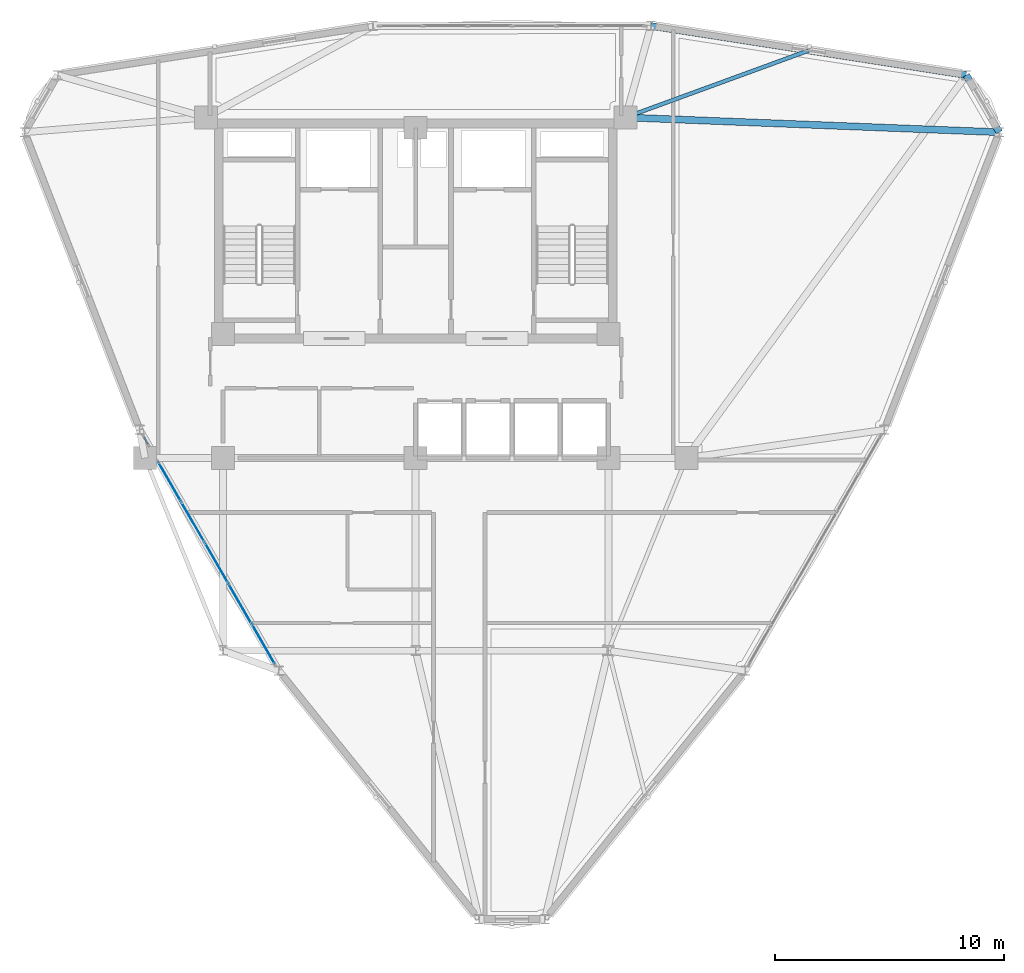
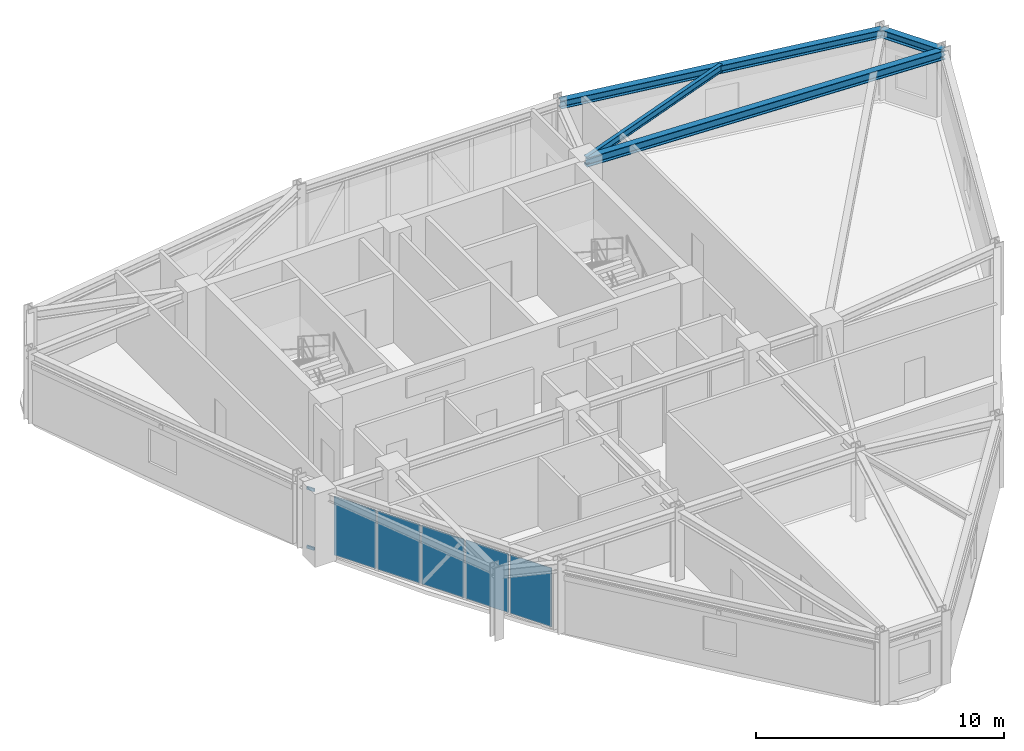
# One storey, part 10 of 16: 5 plates, 4 beams, 2 members, 2 elements without a shape of their own.
"""IFC4 building model written with IfcOpenShell, lengths in metres."""

from ifc_helpers import new_model, si_unit, derived_unit, direction, frame, origin, origin_2d, place, context, subcontext, project, spatial, rectangle, hollow_rectangle, i_section, extrude, source, transform, mapped, material, layer, layer_set, material_profile, profile_set, type_object, element, aggregate, save


model = new_model("IFC4")

# Units and contexts
model_context = context("Model", 3, precision=1e-05, world=origin(), true_north=direction((0.0, 1.0)))
body_context = subcontext(model_context, "Body", "Model", "MODEL_VIEW")
ifc_project = project(units=[si_unit("LENGTHUNIT", "METRE"), si_unit("AREAUNIT", "SQUARE_METRE"), si_unit("VOLUMEUNIT", "CUBIC_METRE"), si_unit("PLANEANGLEUNIT", "RADIAN"), si_unit("MASSUNIT", "GRAM", prefix="KILO"), derived_unit("THERMALTRANSMITTANCEUNIT", [(si_unit("POWERUNIT", "WATT"), 1), (si_unit("LENGTHUNIT", "METRE"), -2), (si_unit("THERMODYNAMICTEMPERATUREUNIT", "KELVIN"), -1)])], contexts=[model_context])

# Site, building, storey
site_placement = place(None, origin())
site = spatial("IfcSite", under=ifc_project, at=site_placement, CompositionType="ELEMENT")
building_placement = place(site_placement, origin())
building = spatial("IfcBuilding", under=site, at=building_placement, Name="Korsvarv Bourse and Concert Hall", CompositionType="ELEMENT")
storey_placement = place(building_placement, frame((0.0, 0.0, 227.39990234375)))
storey = spatial("IfcBuildingStorey", under=building, at=storey_placement, Name="L59", CompositionType="ELEMENT", Elevation=227.39990234375)

# Beams
ifc_material_1 = material(Name="Steel S355", Category="steel")
ifc_material_profile_1 = material_profile(ifc_material_1, i_section(OverallWidth=0.300048828125, OverallDepth=0.389892578125, WebThickness=0.010986328125, FlangeThickness=0.01904296875, FilletRadius=0.02099609375, at=origin_2d()), Name="HEA 400")
ifc_profile_set_1 = profile_set([ifc_material_profile_1], Name="Steel S355")
beam_type_1 = type_object("IfcBeamType", Name="BM-HEA400", PredefinedType="BEAM", material=ifc_profile_set_1)
shared_shape_1 = source(origin(), body_context, "Body", "SweptSolid", [
    extrude(i_section(OverallWidth=0.300048828125, OverallDepth=0.389892578125, WebThickness=0.010986328125, FlangeThickness=0.01904296875, FilletRadius=0.02099609375, at=origin_2d()), origin(), (0.0, 0.0, 1.0), 2.876708984375),
])
beam_1_placement = place(storey_placement, frame((61.447265625, 46.606201171875, 3.215087890625), z_axis=(-0.499945292477, 0.866056986884, 0.0), x_axis=(-0.866056986884, -0.499945292477, 0.0)))
element("IfcBeam", 1, at=beam_1_placement, inside=storey, type_object=beam_type_1, Name="L59 beam B-11", PredefinedType="BEAM", context=body_context, shape_type="MappedRepresentation", body=[
    mapped(shared_shape_1, transform((0.0, 0.0, 0.0), scale=1.0)),
])
shared_shape_2 = source(origin(), body_context, "Body", "SweptSolid", [
    extrude(i_section(OverallWidth=0.300048828125, OverallDepth=0.389892578125, WebThickness=0.010986328125, FlangeThickness=0.01904296875, FilletRadius=0.02099609375, at=origin_2d()), origin(), (0.0, 0.0, 1.0), 13.913330078125),
])
beam_2_placement = place(storey_placement, frame((60.009033203125, 49.09765625, 3.215087890625), z_axis=(-0.988060911996, 0.154063734169, 0.0), x_axis=(-0.154063734169, -0.988060911996, 0.0)))
element("IfcBeam", 2, at=beam_2_placement, inside=storey, type_object=beam_type_1, Name="L59 beam B-11", PredefinedType="BEAM", context=body_context, shape_type="MappedRepresentation", body=[
    mapped(shared_shape_2, transform((0.0, 0.0, 0.0), scale=1.0)),
])
ifc_material_profile_2 = material_profile(ifc_material_1, i_section(OverallWidth=0.300048828125, OverallDepth=0.449951171875, WebThickness=0.013916015625, FlangeThickness=0.02587890625, FilletRadius=0.02099609375, at=origin_2d()), Name="HEB 450")
ifc_profile_set_2 = profile_set([ifc_material_profile_2], Name="Steel S355")
beam_type_2 = type_object("IfcBeamType", Name="BM-HEB450", PredefinedType="SPANDREL", material=ifc_profile_set_2)
shared_shape_3 = source(origin(), body_context, "Body", "SweptSolid", [
    extrude(i_section(OverallWidth=0.300048828125, OverallDepth=0.449951171875, WebThickness=0.013916015625, FlangeThickness=0.02587890625, FilletRadius=0.02099609375, at=origin_2d()), origin(), (0.0, 0.0, 1.0), 16.31005859375),
])
beam_3_placement = place(storey_placement, frame((61.447265625, 46.606201171875, 3.18505859375), z_axis=(-0.999220658598, 0.039472464223, 0.0), x_axis=(-0.039472464223, -0.999220658598, 0.0)))
element("IfcBeam", 3, at=beam_3_placement, inside=storey, type_object=beam_type_2, Name="L59 beam B-08", PredefinedType="SPANDREL", context=body_context, shape_type="MappedRepresentation", body=[
    mapped(shared_shape_3, transform((0.0, 0.0, 0.0), scale=1.0)),
])
ifc_material_profile_3 = material_profile(ifc_material_1, i_section(OverallWidth=0.169921875, OverallDepth=0.360107421875, WebThickness=0.008056640625, FlangeThickness=0.0126953125, FilletRadius=0.01806640625, at=origin_2d()), Name="IPE 360")
ifc_profile_set_3 = profile_set([ifc_material_profile_3], Name="Steel S355")
beam_type_3 = type_object("IfcBeamType", Name="BM-IPE360", PredefinedType="JOIST", material=ifc_profile_set_3)
shared_shape_4 = source(origin(), body_context, "Body", "SweptSolid", [
    extrude(i_section(OverallWidth=0.169921875, OverallDepth=0.360107421875, WebThickness=0.008056640625, FlangeThickness=0.0126953125, FilletRadius=0.01806640625, at=origin_2d()), origin(), (0.0, 0.0, 1.0), 8.50244140625),
])
beam_4_placement = place(storey_placement, frame((53.135498046875, 50.16943359375, 3.22998046875), z_axis=(-0.939203499383, -0.343361015183, 0.0), x_axis=(0.343361015183, -0.939203499383, 0.0)))
element("IfcBeam", 4, at=beam_4_placement, inside=storey, type_object=beam_type_3, Name="L59 beam J-06", PredefinedType="JOIST", context=body_context, shape_type="MappedRepresentation", body=[
    mapped(shared_shape_4, transform((0.0, 0.0, 0.0), scale=1.0)),
])

# Curtain wall, members
ifc_material_2 = material(Name="Anodised aluminium and triple low-E glazing", Category="glass")
ifc_layer_1 = layer(ifc_material_2, 0.199951171875)
ifc_layer_set_1 = layer_set([ifc_layer_1], Name="Anodised aluminium and triple low-E glazing")
curtain_wall_type = type_object("IfcCurtainWallType", Name="CW-SYS-3", PredefinedType="NOTDEFINED", material=ifc_layer_set_1)
curtain_wall_1_placement = place(storey_placement, origin())
curtain_wall_1 = element("IfcCurtainWall", 5, at=curtain_wall_1_placement, inside=storey, type_object=curtain_wall_type, Name="L59 CW3 curtain wall CW-L59-F07-1", PredefinedType="NOTDEFINED")
ifc_material_3 = material(Name="Extruded aluminium EN AW-6063 T66", Category="aluminium")
ifc_material_profile_4 = material_profile(ifc_material_3, hollow_rectangle(XDim=0.06494140625, YDim=0.139892578125, WallThickness=0.00390625, at=origin_2d()), Name="ALU-T 65x140")
ifc_profile_set_4 = profile_set([ifc_material_profile_4], Name="Extruded aluminium EN AW-6063 T66")
member_type = type_object("IfcMemberType", Name="CWT-140", PredefinedType="USERDEFINED", material=ifc_profile_set_4)
shared_shape_5 = source(origin(), body_context, "Body", "SweptSolid", [
    extrude(hollow_rectangle(XDim=0.06494140625, YDim=0.139892578125, WallThickness=0.00390625, at=origin_2d()), origin(), (0.0, 0.0, 1.0), 0.34619140625),
])
member_1_placement = place(storey_placement, frame((24.15380859375, 33.310546875, 0.03271484375), z_axis=(0.500007335828, -0.866021168401, 0.0), x_axis=(0.866021168401, 0.500007335828, 0.0)))
member_1 = element("IfcMember", 6, at=member_1_placement, type_object=member_type, Name="CW3 transom 1.1", ObjectType="TRANSOM", PredefinedType="USERDEFINED", context=body_context, shape_type="MappedRepresentation", body=[
    mapped(shared_shape_5, transform((0.0, 0.0, 0.0), scale=1.0)),
])
member_2_placement = place(storey_placement, frame((24.15380859375, 33.310546875, 2.927490234375), z_axis=(0.500007335828, -0.866021168401, 0.0), x_axis=(0.866021168401, 0.500007335828, 0.0)))
member_2 = element("IfcMember", 7, at=member_2_placement, type_object=member_type, Name="CW3 transom 1.2", ObjectType="TRANSOM", PredefinedType="USERDEFINED", context=body_context, shape_type="MappedRepresentation", body=[
    mapped(shared_shape_5, transform((0.0, 0.0, 0.0), scale=1.0)),
])
aggregate(curtain_wall_1, [member_1, member_2])

# Curtain wall, plates
curtain_wall_2_placement = place(storey_placement, origin())
curtain_wall_2 = element("IfcCurtainWall", 8, at=curtain_wall_2_placement, inside=storey, type_object=curtain_wall_type, Name="L59 CW3 curtain wall CW-L59-F07-2", PredefinedType="NOTDEFINED")
ifc_material_4 = material(Name="Tempered triple insulated low-E architectural glass", Category="glass")
ifc_layer_2 = layer(ifc_material_4, 0.0380859375)
ifc_layer_set_2 = layer_set([ifc_layer_2], Name="Tempered triple insulated low-E architectural glass")
plate_type_1 = type_object("IfcPlateType", Name="CWP-VIS2", PredefinedType="CURTAIN_PANEL", material=ifc_layer_set_2)
shared_shape_6 = source(origin(), body_context, "Body", "SweptSolid", [
    extrude(rectangle(XDim=1.947998046875, YDim=0.0380859375, at=origin_2d()), origin(), (0.0, 0.0, 1.0), 2.889892578125),
])
plate_1_placement = place(storey_placement, frame((25.27197265625, 31.373779296875, 0.06494140625), z_axis=(0.0, 0.0, 1.0), x_axis=(0.499999881045, -0.866025472463, 0.0)))
plate_1 = element("IfcPlate", 9, at=plate_1_placement, type_object=plate_type_1, Name="CW3 faceted panel 1.1", PredefinedType="CURTAIN_PANEL", context=body_context, shape_type="MappedRepresentation", body=[
    mapped(shared_shape_6, transform((0.0, 0.0, 0.0), scale=1.0)),
])
plate_2_placement = place(storey_placement, frame((29.360595703125, 24.2919921875, 0.06494140625), z_axis=(0.0, 0.0, 1.0), x_axis=(0.499999881045, -0.866025472463, 0.0)))
plate_2 = element("IfcPlate", 10, at=plate_2_placement, type_object=plate_type_1, Name="CW3 faceted panel 5.1", PredefinedType="CURTAIN_PANEL", context=body_context, shape_type="MappedRepresentation", body=[
    mapped(shared_shape_6, transform((0.0, 0.0, 0.0), scale=1.0)),
])
shared_shape_7 = source(origin(), body_context, "Body", "SweptSolid", [
    extrude(rectangle(XDim=1.983154296875, YDim=0.0380859375, at=origin_2d()), origin(), (0.0, 0.0, 1.0), 2.889892578125),
])
plate_3_placement = place(storey_placement, frame((26.289794921875, 29.61083984375, 0.06494140625), z_axis=(0.0, 0.0, 1.0), x_axis=(0.499999881045, -0.866025472463, 0.0)))
plate_3 = element("IfcPlate", 11, at=plate_3_placement, type_object=plate_type_1, Name="CW3 faceted panel 2.1", PredefinedType="CURTAIN_PANEL", context=body_context, shape_type="MappedRepresentation", body=[
    mapped(shared_shape_7, transform((0.0, 0.0, 0.0), scale=1.0)),
])
plate_4_placement = place(storey_placement, frame((28.3427734375, 26.054931640625, 0.06494140625), z_axis=(0.0, 0.0, 1.0), x_axis=(0.499999881045, -0.866025472463, 0.0)))
plate_4 = element("IfcPlate", 12, at=plate_4_placement, type_object=plate_type_1, Name="CW3 faceted panel 4.1", PredefinedType="CURTAIN_PANEL", context=body_context, shape_type="MappedRepresentation", body=[
    mapped(shared_shape_7, transform((0.0, 0.0, 0.0), scale=1.0)),
])
ifc_material_5 = material(Name="Insulated spandrel glass", Category="glass")
ifc_layer_3 = layer(ifc_material_5, 0.031982421875)
ifc_layer_set_3 = layer_set([ifc_layer_3], Name="Insulated spandrel glass")
plate_type_2 = type_object("IfcPlateType", Name="CWP-SPD1", PredefinedType="CURTAIN_PANEL", material=ifc_layer_set_3)
shared_shape_8 = source(origin(), body_context, "Body", "SweptSolid", [
    extrude(rectangle(XDim=1.983154296875, YDim=0.031982421875, at=origin_2d()), origin(), (0.0, 0.0, 1.0), 2.889892578125),
])
plate_5_placement = place(storey_placement, frame((27.31640625, 27.832763671875, 0.06494140625), z_axis=(0.0, 0.0, 1.0), x_axis=(0.499999881045, -0.866025472463, 0.0)))
plate_5 = element("IfcPlate", 13, at=plate_5_placement, type_object=plate_type_2, Name="CW3 spandrel shadow-box panel 3.1", PredefinedType="CURTAIN_PANEL", context=body_context, shape_type="MappedRepresentation", body=[
    mapped(shared_shape_8, transform((0.0, 0.0, 0.0), scale=1.0)),
])
aggregate(curtain_wall_2, [plate_1, plate_3, plate_5, plate_4, plate_2])

save(model, "model.ifc")
